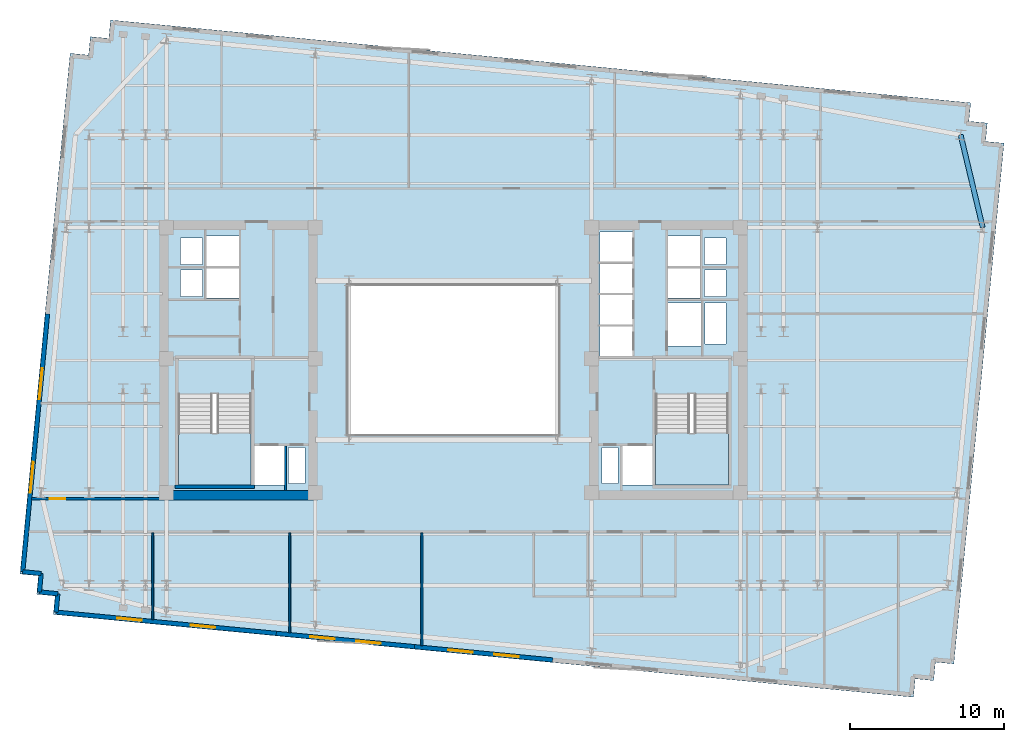
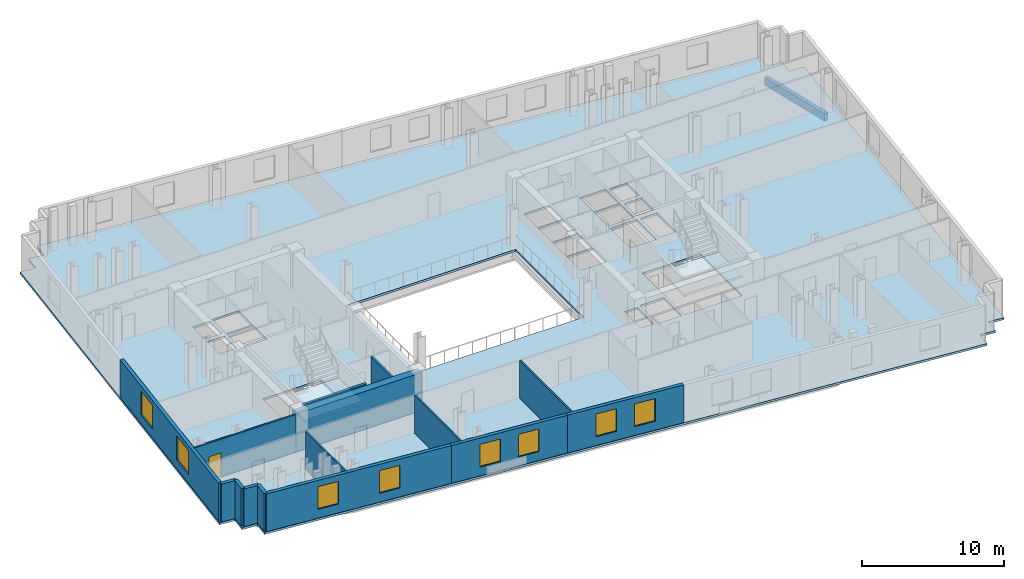
# One storey, part 3 of 9: 15 walls, 8 windows, 3 slabs, 1 beam, 1 door, 9 openings, 2 elements without a shape of their own.
"""IFC4 building model written with IfcOpenShell, lengths in metres."""

from ifc_helpers import new_model, si_unit, direction, frame, frame_2d, origin, origin_2d, place, context, subcontext, project, spatial, polyline, rectangle, outline, extrude, material, layer, layer_set, material_profile, profile_set, type_object, element, fill, aggregate, save


model = new_model("IFC4")

# Units and contexts
model_context = context("Model", 3, precision=1e-05, world=origin(), true_north=direction((0.0, 1.0)))
body_context = subcontext(model_context, "Body", "Model", "MODEL_VIEW")
ifc_project = project(units=[si_unit("LENGTHUNIT", "METRE"), si_unit("AREAUNIT", "SQUARE_METRE"), si_unit("VOLUMEUNIT", "CUBIC_METRE"), si_unit("PLANEANGLEUNIT", "RADIAN"), si_unit("MASSUNIT", "GRAM", prefix="KILO")], contexts=[model_context])

# Site, building, storey
site_placement = place(None, origin())
site = spatial("IfcSite", under=ifc_project, at=site_placement, CompositionType="ELEMENT")
building_placement = place(site_placement, origin())
building = spatial("IfcBuilding", under=site, at=building_placement, Name="Velakula Bourse", CompositionType="ELEMENT")
storey_placement = place(building_placement, frame((0.0, 0.0, 177.64990234375)))
storey = spatial("IfcBuildingStorey", under=building, at=storey_placement, Name="L48", CompositionType="ELEMENT", Elevation=177.64990234375)

# Beam
ifc_material_1 = material(Name="Precast concrete M45 (fck 45 MPa)", Category="concrete")
ifc_material_profile = material_profile(ifc_material_1, rectangle(XDim=0.320068359375, YDim=0.679931640625, at=origin_2d()), Name="Precast concrete M45 (fck 45 MPa)")
ifc_profile_set = profile_set([ifc_material_profile], Name="Precast concrete M45 (fck 45 MPa)")
beam_type = type_object("IfcBeamType", Name="SPN-BRICK-680", PredefinedType="SPANDREL", material=ifc_profile_set)
beam_placement = place(storey_placement, frame((34.30517578125, 8.60009765625, -0.52001953125), z_axis=(-0.232091371601, 0.972693988482, 0.0), x_axis=(-0.972693988482, -0.232091371601, 0.0)))
element("IfcBeam", 1, at=beam_placement, inside=storey, type_object=beam_type, Name="L48 Brick-Faced Precast Spandrel E3-E4", PredefinedType="SPANDREL", context=body_context, shape_type="SweptSolid", body=[
    extrude(rectangle(XDim=0.320068359375, YDim=0.679931640625, at=origin_2d()), origin(), (0.0, 0.0, 1.0), 6.16845703125),
])

# Stair, slab
ifc_material_2 = material(Name="Concrete M45 (fck 45 MPa)", Category="concrete")
stair_type = type_object("IfcStairType", Name="STR-DOG-390", PredefinedType="HALF_TURN_STAIR", material=ifc_material_2)
stair_1_placement = place(storey_placement, origin())
stair_1 = element("IfcStair", 2, at=stair_1_placement, inside=storey, type_object=stair_type, Name="L48 West Core Exit Stair ST-W1", PredefinedType="HALF_TURN_STAIR")
ifc_layer_1 = layer(ifc_material_2, 0.199951171875, Name="Concrete M45 (fck 45 MPa)", Category="concrete")
ifc_layer_set_1 = layer_set([ifc_layer_1], Name="Concrete M45 (fck 45 MPa)")
slab_type_1 = type_object("IfcSlabType", Name="SLB-STAIR-LND-200", PredefinedType="LANDING", material=ifc_layer_set_1)
slab_1_placement = place(storey_placement, frame((0.0, 0.0, 1.525146484375)))
slab_1 = element("IfcSlab", 3, at=slab_1_placement, type_object=slab_type_1, Name="ST-W1 landing 1", PredefinedType="LANDING", context=body_context, shape_type="SweptSolid", body=[
    extrude(outline(polyline([(-17.820068359375, -4.719970703125), (-17.820068359375, -8.10009765625), (-13.10009765625, -8.10009765625), (-13.10009765625, -4.719970703125), (-17.820068359375, -4.719970703125)])), origin(), (0.0, 0.0, 1.0), 0.199951171875),
])
aggregate(stair_1, [slab_1])

stair_2_placement = place(storey_placement, origin())
stair_2 = element("IfcStair", 4, at=stair_2_placement, inside=storey, type_object=stair_type, Name="L48 East Core Exit Stair ST-E1", PredefinedType="HALF_TURN_STAIR")
slab_2_placement = place(storey_placement, frame((0.0, 0.0, 1.525146484375)))
slab_2 = element("IfcSlab", 5, at=slab_2_placement, type_object=slab_type_1, Name="ST-E1 landing 1", PredefinedType="LANDING", context=body_context, shape_type="SweptSolid", body=[
    extrude(outline(polyline([(13.10009765625, -4.719970703125), (13.10009765625, -8.10009765625), (17.820068359375, -8.10009765625), (17.820068359375, -4.719970703125), (13.10009765625, -4.719970703125)])), origin(), (0.0, 0.0, 1.0), 0.199951171875),
])
aggregate(stair_2, [slab_2])

# Slab
ifc_material_3 = material(Name="Concrete M50 (fck 50 MPa)", Category="concrete")
ifc_layer_2 = layer(ifc_material_3, 0.179931640625, Name="Concrete M50 (fck 50 MPa)", Category="concrete")
ifc_layer_set_2 = layer_set([ifc_layer_2], Name="Concrete M50 (fck 50 MPa)")
slab_type_2 = type_object("IfcSlabType", Name="SLB-TWR-180", PredefinedType="FLOOR", material=ifc_layer_set_2)
slab_3_placement = place(storey_placement, frame((0.0, 0.0, -0.179931640625)))
element("IfcSlab", 6, at=slab_3_placement, inside=storey, type_object=slab_type_2, Name="L48 Suspended Structural Floor Slab", PredefinedType="FLOOR", context=body_context, shape_type="SweptSolid", body=[
    extrude(outline(polyline([(-25.92578125, -16.477294921875), (29.81640625, -21.844482421875), (29.931396484375, -20.650146484375), (31.1259765625, -20.76513671875), (31.240966796875, -19.570556640625), (32.435546875, -19.685791015625), (35.6845703125, 14.058349609375), (34.490234375, 14.17333984375), (34.605224609375, 15.36767578125), (33.41064453125, 15.482666015625), (33.525634765625, 16.67724609375), (-22.216552734375, 22.044677734375), (-22.33154296875, 20.85009765625), (-23.52587890625, 20.965087890625), (-23.640869140625, 19.770751953125), (-24.83544921875, 19.8857421875), (-28.084716796875, -13.858154296875), (-26.89013671875, -13.973388671875), (-27.005126953125, -15.167724609375), (-25.810791015625, -15.28271484375), (-25.92578125, -16.477294921875)]), holes=[polyline([(-17.820068359375, -8.10009765625), (-13.10009765625, -8.10009765625), (-13.10009765625, -2.199951171875), (-17.820068359375, -2.199951171875), (-17.820068359375, -8.10009765625)]), polyline([(13.10009765625, -8.10009765625), (17.820068359375, -8.10009765625), (17.820068359375, -2.199951171875), (13.10009765625, -2.199951171875), (13.10009765625, -8.10009765625)]), polyline([(-12.89990234375, -8.10009765625), (-10.949951171875, -8.10009765625), (-10.949951171875, -5.550048828125), (-12.89990234375, -5.550048828125), (-12.89990234375, -8.10009765625)]), polyline([(10.949951171875, -8.10009765625), (12.89990234375, -8.10009765625), (12.89990234375, -5.550048828125), (10.949951171875, -5.550048828125), (10.949951171875, -8.10009765625)]), polyline([(13.89990234375, 0.919921875), (16.050048828125, 0.919921875), (16.050048828125, 3.719970703125), (13.89990234375, 3.719970703125), (13.89990234375, 0.919921875)]), polyline([(-10.679931640625, -7.97998046875), (-9.6201171875, -7.97998046875), (-9.6201171875, -5.669921875), (-10.679931640625, -5.669921875), (-10.679931640625, -7.97998046875)]), polyline([(-17.679931640625, 4.139892578125), (-16.27001953125, 4.139892578125), (-16.27001953125, 5.85009765625), (-17.679931640625, 5.85009765625), (-17.679931640625, 4.139892578125)]), polyline([(-17.679931640625, 6.2099609375), (-16.27001953125, 6.2099609375), (-16.27001953125, 7.919921875), (-17.679931640625, 7.919921875), (-17.679931640625, 6.2099609375)]), polyline([(9.6201171875, -7.97998046875), (10.679931640625, -7.97998046875), (10.679931640625, -5.669921875), (9.6201171875, -5.669921875), (9.6201171875, -7.97998046875)]), polyline([(16.27001953125, 4.139892578125), (17.679931640625, 4.139892578125), (17.679931640625, 5.85009765625), (16.27001953125, 5.85009765625), (16.27001953125, 4.139892578125)]), polyline([(16.27001953125, 6.2099609375), (17.679931640625, 6.2099609375), (17.679931640625, 7.919921875), (16.27001953125, 7.919921875), (16.27001953125, 6.2099609375)]), polyline([(16.320068359375, 1.0400390625), (17.679931640625, 1.0400390625), (17.679931640625, 3.699951171875), (16.320068359375, 3.699951171875), (16.320068359375, 1.0400390625)]), polyline([(9.5, 0.280029296875), (11.60009765625, 0.280029296875), (11.60009765625, 2.199951171875), (9.5, 2.199951171875), (9.5, 0.280029296875)]), polyline([(9.5, 2.31005859375), (11.60009765625, 2.31005859375), (11.60009765625, 4.22998046875), (9.5, 4.22998046875), (9.5, 2.31005859375)]), polyline([(9.5, 4.340087890625), (11.60009765625, 4.340087890625), (11.60009765625, 6.260009765625), (9.5, 6.260009765625), (9.5, 4.340087890625)]), polyline([(9.5, 6.3701171875), (11.60009765625, 6.3701171875), (11.60009765625, 8.2900390625), (9.5, 8.2900390625), (9.5, 6.3701171875)]), polyline([(-16.0, 4.02001953125), (-13.89990234375, 4.02001953125), (-13.89990234375, 5.969970703125), (-16.0, 5.969970703125), (-16.0, 4.02001953125)]), polyline([(-16.0, 6.090087890625), (-13.89990234375, 6.090087890625), (-13.89990234375, 8.0400390625), (-16.0, 8.0400390625), (-16.0, 6.090087890625)]), polyline([(13.89990234375, 4.02001953125), (16.0, 4.02001953125), (16.0, 5.969970703125), (13.89990234375, 5.969970703125), (13.89990234375, 4.02001953125)]), polyline([(13.89990234375, 6.090087890625), (16.0, 6.090087890625), (16.0, 8.0400390625), (13.89990234375, 8.0400390625), (13.89990234375, 6.090087890625)]), polyline([(-6.800048828125, -4.800048828125), (6.800048828125, -4.800048828125), (6.800048828125, 4.800048828125), (-6.800048828125, 4.800048828125), (-6.800048828125, -4.800048828125)])]), origin(), (0.0, 0.0, 1.0), 0.179931640625),
])

# Walls
ifc_layer_3 = layer(ifc_material_3, 0.2099609375, Name="Concrete M50 (fck 50 MPa)", Category="concrete")
ifc_layer_set_3 = layer_set([ifc_layer_3], Name="Concrete M50 (fck 50 MPa)")
wall_type_1 = type_object("IfcWallType", Name="WL-CORE-210", PredefinedType="SHEAR", material=ifc_layer_set_3)
wall_1_placement = place(storey_placement, frame((-18.030029296875, -8.205078125, 0.0), z_axis=(0.0, 0.0, 1.0), x_axis=(1.0, 0.0, 0.0)))
element("IfcWall", 7, at=wall_1_placement, inside=storey, type_object=wall_type_1, Name="L48 Core W Stairwell Shear Wall S", PredefinedType="SHEAR", context=body_context, shape_type="SweptSolid", body=[
    extrude(rectangle(XDim=5.14013671875, YDim=0.2099609375, at=frame_2d((2.570068359375, 0.0))), origin(), (0.0, 0.0, 1.0), 3.27001953125),
])
ifc_material_4 = material(Name="Concrete M70 (fck 70 MPa)", Category="concrete")
ifc_layer_4 = layer(ifc_material_4, 0.60009765625, Name="Concrete M70 (fck 70 MPa)", Category="concrete")
ifc_layer_set_4 = layer_set([ifc_layer_4], Name="Concrete M70 (fck 70 MPa)")
wall_type_2 = type_object("IfcWallType", Name="WL-CORE-600", PredefinedType="SHEAR", material=ifc_layer_set_4)
wall_2_placement = place(storey_placement, frame((-19.050048828125, -8.75, 0.0), z_axis=(0.0, 0.0, 1.0), x_axis=(1.0, 0.0, 0.0)))
element("IfcWall", 8, at=wall_2_placement, inside=storey, type_object=wall_type_2, Name="L48 Core W Shear Wall S", PredefinedType="SHEAR", context=body_context, shape_type="SweptSolid", body=[
    extrude(rectangle(XDim=10.25, YDim=0.60009765625, at=frame_2d((5.125, 0.0))), origin(), (0.0, 0.0, 1.0), 3.27001953125),
])

# Wall, openings, windows
ifc_material_5 = material(Name="Red kilned clay facing brick masonry", Category="masonry")
ifc_layer_5 = layer(ifc_material_5, 0.280029296875, Name="Red kilned clay facing brick masonry", Category="masonry")
ifc_layer_set_5 = layer_set([ifc_layer_5], Name="Red kilned clay facing brick masonry")
wall_type_3 = type_object("IfcWallType", Name="WL-EXT-BRK-280", PredefinedType="STANDARD", material=ifc_layer_set_5)
wall_3_placement = place(storey_placement, frame((-11.47705078125, -17.707763671875, 0.0), z_axis=(0.0, 0.0, 1.0), x_axis=(-0.995395762701, 0.095850276977, 0.0)))
wall_3 = element("IfcWall", 9, at=wall_3_placement, inside=storey, type_object=wall_type_3, Name="L48 S Brick Spandrel Wall B1", PredefinedType="STANDARD", context=body_context, shape_type="SweptSolid", body=[
    extrude(rectangle(XDim=14.340087890625, YDim=0.280029296875, at=frame_2d((7.169921875, 0.0))), origin(), (0.0, 0.0, 1.0), 3.25),
])
opening_1_placement = place(wall_3_placement, frame((3.97998046875, 0.0, 0.760009765625)))
opening_1 = element("IfcOpeningElement", 10, at=opening_1_placement, cuts=wall_3, Name="Opening W-02", PredefinedType="OPENING", context=body_context, shape_type="SweptSolid", body=[
    extrude(rectangle(XDim=1.60009765625, YDim=1.949951171875, at=frame_2d((0.800048828125, 0.97509765625))), frame((0.0, 0.14990234375, 0.0), z_axis=(0.0, -1.0, 0.0), x_axis=(1.0, 0.0, 0.0)), (0.0, 0.0, 1.0), 0.300048828125),
])
opening_2_placement = place(wall_3_placement, frame((8.760009765625, 0.0, 0.760009765625)))
opening_2 = element("IfcOpeningElement", 11, at=opening_2_placement, cuts=wall_3, Name="Opening W-02", PredefinedType="OPENING", context=body_context, shape_type="SweptSolid", body=[
    extrude(rectangle(XDim=1.60009765625, YDim=1.949951171875, at=frame_2d((0.800048828125, 0.97509765625))), frame((0.0, 0.14990234375, 0.0), z_axis=(0.0, -1.0, 0.0), x_axis=(1.0, 0.0, 0.0)), (0.0, 0.0, 1.0), 0.300048828125),
])
ifc_material_6 = material(Name="Double-glazed solar-control Low-E glass", Category="glass")
window_type_1 = type_object("IfcWindowType", Name="WIN-TWR-1600x2100", PartitioningType="SINGLE_PANEL", PredefinedType="WINDOW", material=ifc_material_6)
window_1_placement = place(opening_1_placement, origin())
window_1 = element("IfcWindow", 12, at=window_1_placement, inside=storey, type_object=window_type_1, Name="L48 Deep-Set Recessed Window 1", OverallHeight=1.949951171875, OverallWidth=1.60009765625, PartitioningType="SINGLE_PANEL", PredefinedType="WINDOW", context=body_context, shape_type="SweptSolid", body=[
    extrude(rectangle(XDim=1.60009765625, YDim=1.949951171875, at=frame_2d((0.800048828125, 0.97509765625))), frame((0.0, 0.030029296875, 0.0), z_axis=(0.0, -1.0, 0.0), x_axis=(1.0, 0.0, 0.0)), (0.0, 0.0, 1.0), 0.06005859375),
])
fill(opening_1, window_1)
window_2_placement = place(opening_2_placement, origin())
window_2 = element("IfcWindow", 13, at=window_2_placement, inside=storey, type_object=window_type_1, Name="L48 Deep-Set Recessed Window 2", OverallHeight=1.949951171875, OverallWidth=1.60009765625, PartitioningType="SINGLE_PANEL", PredefinedType="WINDOW", context=body_context, shape_type="SweptSolid", body=[
    extrude(rectangle(XDim=1.60009765625, YDim=1.949951171875, at=frame_2d((0.800048828125, 0.97509765625))), frame((0.0, 0.030029296875, 0.0), z_axis=(0.0, -1.0, 0.0), x_axis=(1.0, 0.0, 0.0)), (0.0, 0.0, 1.0), 0.06005859375),
])
fill(opening_2, window_2)

wall_4_placement = place(storey_placement, frame((-2.5185546875, -18.5703125, 0.0), z_axis=(0.0, 0.0, 1.0), x_axis=(-0.995396794462, 0.09583956164, 0.0)))
wall_4 = element("IfcWall", 14, at=wall_4_placement, inside=storey, type_object=wall_type_3, Name="L48 S Brick Spandrel Wall B2", PredefinedType="STANDARD", context=body_context, shape_type="SweptSolid", body=[
    extrude(rectangle(XDim=9.0, YDim=0.280029296875, at=frame_2d((4.5, 0.0))), origin(), (0.0, 0.0, 1.0), 3.25),
])
opening_3_placement = place(wall_4_placement, frame((2.199951171875, 0.0, 0.760009765625)))
opening_3 = element("IfcOpeningElement", 15, at=opening_3_placement, cuts=wall_4, Name="Opening W-02", PredefinedType="OPENING", context=body_context, shape_type="SweptSolid", body=[
    extrude(rectangle(XDim=1.60009765625, YDim=1.949951171875, at=frame_2d((0.800048828125, 0.97509765625))), frame((0.0, 0.14990234375, 0.0), z_axis=(0.0, -1.0, 0.0), x_axis=(1.0, 0.0, 0.0)), (0.0, 0.0, 1.0), 0.300048828125),
])
opening_4_placement = place(wall_4_placement, frame((5.199951171875, 0.0, 0.760009765625)))
opening_4 = element("IfcOpeningElement", 16, at=opening_4_placement, cuts=wall_4, Name="Opening W-02", PredefinedType="OPENING", context=body_context, shape_type="SweptSolid", body=[
    extrude(rectangle(XDim=1.60009765625, YDim=1.949951171875, at=frame_2d((0.800048828125, 0.97509765625))), frame((0.0, 0.14990234375, 0.0), z_axis=(0.0, -1.0, 0.0), x_axis=(1.0, 0.0, 0.0)), (0.0, 0.0, 1.0), 0.300048828125),
])
window_3_placement = place(opening_3_placement, origin())
window_3 = element("IfcWindow", 17, at=window_3_placement, inside=storey, type_object=window_type_1, Name="L48 Deep-Set Recessed Window 1", OverallHeight=1.949951171875, OverallWidth=1.60009765625, PartitioningType="SINGLE_PANEL", PredefinedType="WINDOW", context=body_context, shape_type="SweptSolid", body=[
    extrude(rectangle(XDim=1.60009765625, YDim=1.949951171875, at=frame_2d((0.800048828125, 0.97509765625))), frame((0.0, 0.030029296875, 0.0), z_axis=(0.0, -1.0, 0.0), x_axis=(1.0, 0.0, 0.0)), (0.0, 0.0, 1.0), 0.06005859375),
])
fill(opening_3, window_3)
window_4_placement = place(opening_4_placement, origin())
window_4 = element("IfcWindow", 18, at=window_4_placement, inside=storey, type_object=window_type_1, Name="L48 Deep-Set Recessed Window 2", OverallHeight=1.949951171875, OverallWidth=1.60009765625, PartitioningType="SINGLE_PANEL", PredefinedType="WINDOW", context=body_context, shape_type="SweptSolid", body=[
    extrude(rectangle(XDim=1.60009765625, YDim=1.949951171875, at=frame_2d((0.800048828125, 0.97509765625))), frame((0.0, 0.030029296875, 0.0), z_axis=(0.0, -1.0, 0.0), x_axis=(1.0, 0.0, 0.0)), (0.0, 0.0, 1.0), 0.06005859375),
])
fill(opening_4, window_4)

wall_5_placement = place(storey_placement, frame((6.43994140625, -19.432861328125, 0.0), z_axis=(0.0, 0.0, 1.0), x_axis=(-0.995396794462, 0.09583956164, 0.0)))
wall_5 = element("IfcWall", 19, at=wall_5_placement, inside=storey, type_object=wall_type_3, Name="L48 S Brick Spandrel Wall B3", PredefinedType="STANDARD", context=body_context, shape_type="SweptSolid", body=[
    extrude(rectangle(XDim=9.0, YDim=0.280029296875, at=frame_2d((4.5, 0.0))), origin(), (0.0, 0.0, 1.0), 3.25),
])
opening_5_placement = place(wall_5_placement, frame((2.199951171875, 0.0, 0.760009765625)))
opening_5 = element("IfcOpeningElement", 20, at=opening_5_placement, cuts=wall_5, Name="Opening W-02", PredefinedType="OPENING", context=body_context, shape_type="SweptSolid", body=[
    extrude(rectangle(XDim=1.60009765625, YDim=1.949951171875, at=frame_2d((0.800048828125, 0.97509765625))), frame((0.0, 0.14990234375, 0.0), z_axis=(0.0, -1.0, 0.0), x_axis=(1.0, 0.0, 0.0)), (0.0, 0.0, 1.0), 0.300048828125),
])
opening_6_placement = place(wall_5_placement, frame((5.199951171875, 0.0, 0.760009765625)))
opening_6 = element("IfcOpeningElement", 21, at=opening_6_placement, cuts=wall_5, Name="Opening W-02", PredefinedType="OPENING", context=body_context, shape_type="SweptSolid", body=[
    extrude(rectangle(XDim=1.60009765625, YDim=1.949951171875, at=frame_2d((0.800048828125, 0.97509765625))), frame((0.0, 0.14990234375, 0.0), z_axis=(0.0, -1.0, 0.0), x_axis=(1.0, 0.0, 0.0)), (0.0, 0.0, 1.0), 0.300048828125),
])
window_5_placement = place(opening_5_placement, origin())
window_5 = element("IfcWindow", 22, at=window_5_placement, inside=storey, type_object=window_type_1, Name="L48 Deep-Set Recessed Window 1", OverallHeight=1.949951171875, OverallWidth=1.60009765625, PartitioningType="SINGLE_PANEL", PredefinedType="WINDOW", context=body_context, shape_type="SweptSolid", body=[
    extrude(rectangle(XDim=1.60009765625, YDim=1.949951171875, at=frame_2d((0.800048828125, 0.97509765625))), frame((0.0, 0.030029296875, 0.0), z_axis=(0.0, -1.0, 0.0), x_axis=(1.0, 0.0, 0.0)), (0.0, 0.0, 1.0), 0.06005859375),
])
fill(opening_5, window_5)
window_6_placement = place(opening_6_placement, origin())
window_6 = element("IfcWindow", 23, at=window_6_placement, inside=storey, type_object=window_type_1, Name="L48 Deep-Set Recessed Window 2", OverallHeight=1.949951171875, OverallWidth=1.60009765625, PartitioningType="SINGLE_PANEL", PredefinedType="WINDOW", context=body_context, shape_type="SweptSolid", body=[
    extrude(rectangle(XDim=1.60009765625, YDim=1.949951171875, at=frame_2d((0.800048828125, 0.97509765625))), frame((0.0, 0.030029296875, 0.0), z_axis=(0.0, -1.0, 0.0), x_axis=(1.0, 0.0, 0.0)), (0.0, 0.0, 1.0), 0.06005859375),
])
fill(opening_6, window_6)

wall_6_placement = place(storey_placement, frame((-27.909912109375, -13.71435546875, 0.0), z_axis=(0.0, 0.0, 1.0), x_axis=(0.095839027265, 0.995396845913, 0.0)))
wall_6 = element("IfcWall", 24, at=wall_6_placement, inside=storey, type_object=wall_type_3, Name="L48 W Brick End Wall W1", PredefinedType="STANDARD", context=body_context, shape_type="SweptSolid", body=[
    extrude(rectangle(XDim=16.7900390625, YDim=0.280029296875, at=frame_2d((8.39501953125, 0.0))), origin(), (0.0, 0.0, 1.0), 3.25),
])
opening_7_placement = place(wall_6_placement, frame((5.146728515625, 0.0, 0.760009765625)))
opening_7 = element("IfcOpeningElement", 25, at=opening_7_placement, cuts=wall_6, Name="Opening W-05", PredefinedType="OPENING", context=body_context, shape_type="SweptSolid", body=[
    extrude(rectangle(XDim=2.0, YDim=2.050048828125, at=frame_2d((1.0, 1.02490234375))), frame((0.0, 0.14990234375, 0.0), z_axis=(0.0, -1.0, 0.0), x_axis=(1.0, 0.0, 0.0)), (0.0, 0.0, 1.0), 0.300048828125),
])
opening_8_placement = place(wall_6_placement, frame((11.243408203125, 0.0, 0.760009765625)))
opening_8 = element("IfcOpeningElement", 26, at=opening_8_placement, cuts=wall_6, Name="Opening W-05", PredefinedType="OPENING", context=body_context, shape_type="SweptSolid", body=[
    extrude(rectangle(XDim=2.0, YDim=2.050048828125, at=frame_2d((1.0, 1.02490234375))), frame((0.0, 0.14990234375, 0.0), z_axis=(0.0, -1.0, 0.0), x_axis=(1.0, 0.0, 0.0)), (0.0, 0.0, 1.0), 0.300048828125),
])
window_type_2 = type_object("IfcWindowType", Name="WIN-TWR-2000x2200", PartitioningType="DOUBLE_PANEL_VERTICAL", PredefinedType="WINDOW", material=ifc_material_6)
window_7_placement = place(opening_7_placement, origin())
window_7 = element("IfcWindow", 27, at=window_7_placement, inside=storey, type_object=window_type_2, Name="L48 Deep-Set Recessed Window 1", OverallHeight=2.050048828125, OverallWidth=2.0, PartitioningType="DOUBLE_PANEL_VERTICAL", PredefinedType="WINDOW", context=body_context, shape_type="SweptSolid", body=[
    extrude(rectangle(XDim=2.0, YDim=2.050048828125, at=frame_2d((1.0, 1.02490234375))), frame((0.0, 0.030029296875, 0.0), z_axis=(0.0, -1.0, 0.0), x_axis=(1.0, 0.0, 0.0)), (0.0, 0.0, 1.0), 0.06005859375),
])
fill(opening_7, window_7)
window_8_placement = place(opening_8_placement, origin())
window_8 = element("IfcWindow", 28, at=window_8_placement, inside=storey, type_object=window_type_2, Name="L48 Deep-Set Recessed Window 2", OverallHeight=2.050048828125, OverallWidth=2.0, PartitioningType="DOUBLE_PANEL_VERTICAL", PredefinedType="WINDOW", context=body_context, shape_type="SweptSolid", body=[
    extrude(rectangle(XDim=2.0, YDim=2.050048828125, at=frame_2d((1.0, 1.02490234375))), frame((0.0, 0.030029296875, 0.0), z_axis=(0.0, -1.0, 0.0), x_axis=(1.0, 0.0, 0.0)), (0.0, 0.0, 1.0), 0.06005859375),
])
fill(opening_8, window_8)

# Walls
wall_7_placement = place(storey_placement, frame((-27.909912109375, -13.71435546875, 0.0), z_axis=(0.0, 0.0, 1.0), x_axis=(0.995397091755, -0.095836473879, 0.0)))
element("IfcWall", 29, at=wall_7_placement, inside=storey, type_object=wall_type_3, Name="L48 Serrated Corner Brick Wall SW-1", PredefinedType="STANDARD", context=body_context, shape_type="SweptSolid", body=[
    extrude(rectangle(XDim=1.199951171875, YDim=0.280029296875, at=frame_2d((0.60009765625, 0.0))), origin(), (0.0, 0.0, 1.0), 3.25),
])
for number, where, z_axis, x_axis, name in (
    (30, (-26.715576171875, -13.829345703125, 0.0), (0.0, 0.0, 1.0), (-0.095817067274, -0.995398960025, 0.0), "L48 Serrated Corner Brick Wall SW-2"),
    (31, (-26.83056640625, -15.02392578125, 0.0), (0.0, 0.0, 1.0), (0.995398960025, -0.095817067274, 0.0), "L48 Serrated Corner Brick Wall SW-3"),
):
    element("IfcWall", number, at=place(storey_placement, frame(where, z_axis=z_axis, x_axis=x_axis)), inside=storey, type_object=wall_type_3, Name=name, PredefinedType="STANDARD", context=body_context, shape_type="SweptSolid", body=[
        extrude(rectangle(XDim=1.2001953125, YDim=0.280029296875, at=frame_2d((0.60009765625, 0.0))), origin(), (0.0, 0.0, 1.0), 3.25),
    ])
wall_8_placement = place(storey_placement, frame((-25.635986328125, -15.138916015625, 0.0), z_axis=(0.0, 0.0, 1.0), x_axis=(-0.096038073607, -0.995377661201, 0.0)))
element("IfcWall", 32, at=wall_8_placement, inside=storey, type_object=wall_type_3, Name="L48 Serrated Corner Brick Wall SW-4", PredefinedType="STANDARD", context=body_context, shape_type="SweptSolid", body=[
    extrude(rectangle(XDim=1.199951171875, YDim=0.280029296875, at=frame_2d((0.60009765625, 0.0))), origin(), (0.0, 0.0, 1.0), 3.25),
])
ifc_material_7 = material(Name="Fire-rated double-layer gypsum drywall partition", Category="gypsum")
ifc_layer_6 = layer(ifc_material_7, 0.1201171875, Name="Fire-rated double-layer gypsum drywall partition", Category="gypsum")
ifc_layer_set_6 = layer_set([ifc_layer_6], Name="Fire-rated double-layer gypsum drywall partition")
wall_type_4 = type_object("IfcWallType", Name="WL-PART-120", PredefinedType="STANDARD", material=ifc_layer_set_6)
wall_9_placement = place(storey_placement, frame((-19.485107421875, -16.816162109375, 0.0), z_axis=(0.0, 0.0, 1.0), x_axis=(0.0, 1.0, 0.0)))
element("IfcWall", 33, at=wall_9_placement, inside=storey, type_object=wall_type_4, Name="L48 Interior Partition WL-INT-L48-SL-D5", PredefinedType="STANDARD", context=body_context, shape_type="SweptSolid", body=[
    extrude(rectangle(XDim=5.626220703125, YDim=0.1201171875, at=frame_2d((2.81298828125, 0.0))), origin(), (0.0, 0.0, 1.0), 3.25),
])
wall_10_placement = place(storey_placement, frame((-10.59912109375, -17.671630859375, 0.0), z_axis=(0.0, 0.0, 1.0), x_axis=(0.0, 1.0, 0.0)))
element("IfcWall", 34, at=wall_10_placement, inside=storey, type_object=wall_type_4, Name="L48 Interior Partition WL-INT-L48-SL-D6", PredefinedType="STANDARD", context=body_context, shape_type="SweptSolid", body=[
    extrude(rectangle(XDim=6.481689453125, YDim=0.1201171875, at=frame_2d((3.24072265625, 0.0))), origin(), (0.0, 0.0, 1.0), 3.25),
])
wall_11_placement = place(storey_placement, frame((-2.041015625, -18.495849609375, 0.0), z_axis=(0.0, 0.0, 1.0), x_axis=(0.0, 1.0, 0.0)))
element("IfcWall", 35, at=wall_11_placement, inside=storey, type_object=wall_type_4, Name="L48 Interior Partition WL-INT-L48-SL-D7", PredefinedType="STANDARD", context=body_context, shape_type="SweptSolid", body=[
    extrude(rectangle(XDim=7.305908203125, YDim=0.1201171875, at=frame_2d((3.65283203125, 0.0))), origin(), (0.0, 0.0, 1.0), 3.25),
])

# Wall, opening, door
ifc_layer_7 = layer(ifc_material_7, 0.139892578125, Name="Fire-rated double-layer gypsum drywall partition", Category="gypsum")
ifc_layer_set_7 = layer_set([ifc_layer_7], Name="Fire-rated double-layer gypsum drywall partition")
wall_type_5 = type_object("IfcWallType", Name="WL-PART-140", PredefinedType="STANDARD", material=ifc_layer_set_7)
wall_12_placement = place(storey_placement, frame((-27.33349609375, -8.97998046875, 0.0), z_axis=(0.0, 0.0, 1.0), x_axis=(1.0, 0.0, 0.0)))
wall_12 = element("IfcWall", 36, at=wall_12_placement, inside=storey, type_object=wall_type_5, Name="L48 Interior Partition WL-INT-L48-W-SC", PredefinedType="STANDARD", context=body_context, shape_type="SweptSolid", body=[
    extrude(rectangle(XDim=8.283447265625, YDim=0.139892578125, at=frame_2d((4.1416015625, 0.0))), origin(), (0.0, 0.0, 1.0), 3.25),
])
opening_9_placement = place(wall_12_placement, frame((1.17724609375, 0.0, 0.0)))
opening_9 = element("IfcOpeningElement", 37, at=opening_9_placement, cuts=wall_12, Name="Opening D-OF1", PredefinedType="OPENING", context=body_context, shape_type="SweptSolid", body=[
    extrude(rectangle(XDim=1.0, YDim=2.080078125, at=frame_2d((0.5, 1.0400390625))), frame((0.0, 0.079833984375, 0.0), z_axis=(0.0, -1.0, 0.0), x_axis=(1.0, 0.0, 0.0)), (0.0, 0.0, 1.0), 0.159912109375),
])
ifc_material_8 = material(Name="Fire-rated hardwood flush architectural door", Category="wood")
door_type = type_object("IfcDoorType", Name="DR-OFF-1000", OperationType="NOTDEFINED", PredefinedType="DOOR", material=ifc_material_8)
door_placement = place(opening_9_placement, origin())
door = element("IfcDoor", 38, at=door_placement, inside=storey, type_object=door_type, Name="L48 Interest-Rate Swaps Workspace Door", OperationType="SINGLE_SWING_RIGHT", OverallHeight=2.080078125, OverallWidth=1.0, PredefinedType="DOOR", context=body_context, shape_type="SweptSolid", body=[
    extrude(rectangle(XDim=1.0, YDim=2.080078125, at=frame_2d((0.5, 1.0400390625))), frame((0.0, 0.02490234375, 0.0), z_axis=(0.0, -1.0, 0.0), x_axis=(1.0, 0.0, 0.0)), (0.0, 0.0, 1.0), 0.050048828125),
])
fill(opening_9, door)

# Wall
ifc_material_9 = material(Name="Autoclaved aerated concrete blockwork masonry", Category="masonry")
ifc_layer_8 = layer(ifc_material_9, 0.14990234375, Name="Autoclaved aerated concrete blockwork masonry", Category="masonry")
ifc_layer_set_8 = layer_set([ifc_layer_8], Name="Autoclaved aerated concrete blockwork masonry")
wall_type_6 = type_object("IfcWallType", Name="WL-SHAFT-150", PredefinedType="STANDARD", material=ifc_layer_set_8)
wall_13_placement = place(storey_placement, frame((-10.875, -8.449951171875, 0.0), z_axis=(0.0, 0.0, 1.0), x_axis=(0.0, 1.0, 0.0)))
element("IfcWall", 39, at=wall_13_placement, inside=storey, type_object=wall_type_6, Name="L48 Interior Partition WL-CRW-L48-FR-DIV", PredefinedType="STANDARD", context=body_context, shape_type="SweptSolid", body=[
    extrude(rectangle(XDim=2.89990234375, YDim=0.14990234375, at=frame_2d((1.449951171875, 0.0))), origin(), (0.0, 0.0, 1.0), 3.25),
])

save(model, "model.ifc")
